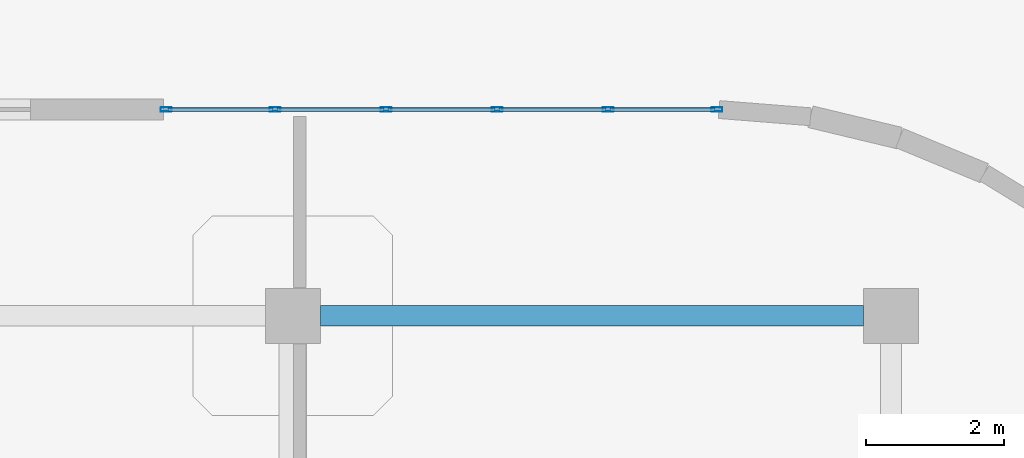
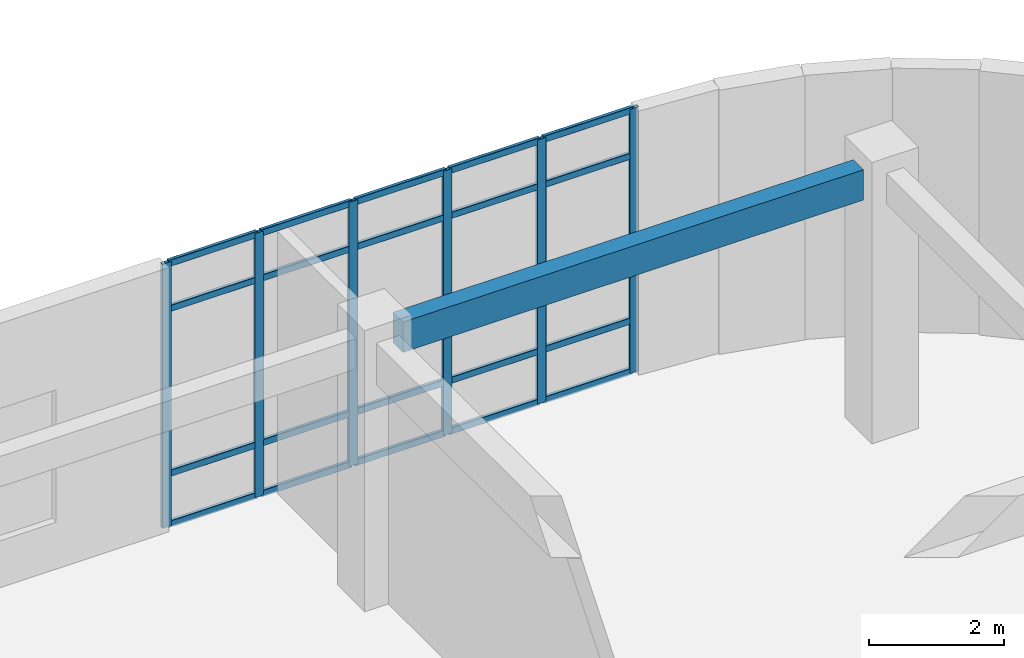
# One storey, part 78 of 124: 26 members, 1 beam, 1 element without a shape of its own.
"""IFC4 building model written with IfcOpenShell, lengths in metres."""

from ifc_helpers import new_model, si_unit, derived_unit, direction, frame, origin, origin_2d, place, context, subcontext, project, spatial, rectangle, hollow_rectangle, extrude, material, layer, layer_set, material_profile, profile_set, type_object, element, aggregate, save


model = new_model("IFC4")

# Units and contexts
model_context = context("Model", 3, precision=1e-05, world=origin(), true_north=direction((0.0, 1.0)))
body_context = subcontext(model_context, "Body", "Model", "MODEL_VIEW")
ifc_project = project(units=[si_unit("LENGTHUNIT", "METRE"), si_unit("AREAUNIT", "SQUARE_METRE"), si_unit("VOLUMEUNIT", "CUBIC_METRE"), si_unit("PLANEANGLEUNIT", "RADIAN"), si_unit("MASSUNIT", "GRAM", prefix="KILO"), derived_unit("THERMALTRANSMITTANCEUNIT", [(si_unit("MASSUNIT", "GRAM", prefix="KILO"), 1), (si_unit("TIMEUNIT", "SECOND"), -3), (si_unit("THERMODYNAMICTEMPERATUREUNIT", "KELVIN"), -1)])], contexts=[model_context])

# Site, building, storey
site_placement = place(None, origin())
site = spatial("IfcSite", under=ifc_project, at=site_placement, CompositionType="ELEMENT")
building_placement = place(site_placement, origin())
building = spatial("IfcBuilding", under=site, at=building_placement, Name="Qinzheling Arcade Emporium", CompositionType="ELEMENT")
storey_placement = place(building_placement, frame((0.0, 0.0, 16.5)))
storey = spatial("IfcBuildingStorey", under=building, at=storey_placement, Name="L04", CompositionType="ELEMENT", Elevation=16.5)

# Curtain wall, members
ifc_material_1 = material(Name="Anodised aluminium and solar-control double glazing", Category="aluminium")
ifc_layer = layer(ifc_material_1, 0.159912109375, Name="Anodised aluminium and solar-control double glazing", Category="aluminium")
ifc_layer_set = layer_set([ifc_layer], Name="Anodised aluminium and solar-control double glazing")
curtain_wall_type = type_object("IfcCurtainWallType", Name="Food Hall Loggia Curtain Wall", PredefinedType="NOTDEFINED", material=ifc_layer_set)
curtain_wall_placement = place(storey_placement, origin())
curtain_wall = element("IfcCurtainWall", 1, at=curtain_wall_placement, inside=storey, type_object=curtain_wall_type, Name="Curtain Wall CW-L04-220", PredefinedType="NOTDEFINED")
ifc_material_2 = material(Name="Anodised aluminium 6063-T6", Category="aluminium")
ifc_material_profile_1 = material_profile(ifc_material_2, hollow_rectangle(XDim=0.06005859375, YDim=0.159912109375, WallThickness=0.00390625, InnerFilletRadius=0.00390625, OuterFilletRadius=0.008056640625, at=origin_2d()), Name="RHS 160x60x4", Category="aluminium")
ifc_profile_set_1 = profile_set([ifc_material_profile_1], Name="Anodised aluminium 6063-T6")
member_type_1 = type_object("IfcMemberType", Name="Curtain Wall Mullion RHS160x60", PredefinedType="MULLION", material=ifc_profile_set_1)
member_1_placement = place(storey_placement, frame((146.056884765625, 28.199951171875, 0.0), z_axis=(0.0, 0.0, 1.0), x_axis=(0.0, 1.0, 0.0)))
member_1 = element("IfcMember", 2, at=member_1_placement, type_object=member_type_1, Name="CW04 mullion 1", PredefinedType="MULLION", context=body_context, shape_type="SweptSolid", body=[
    extrude(hollow_rectangle(XDim=0.06005859375, YDim=0.159912109375, WallThickness=0.00390625, InnerFilletRadius=0.00390625, OuterFilletRadius=0.008056640625, at=origin_2d()), origin(), (0.0, 0.0, 1.0), 4.7900390625),
])
member_2_placement = place(storey_placement, frame((147.6416015625, 28.199951171875, 0.0), z_axis=(0.0, 0.0, 1.0), x_axis=(0.0, 1.0, 0.0)))
member_2 = element("IfcMember", 3, at=member_2_placement, type_object=member_type_1, Name="CW04 mullion 2", PredefinedType="MULLION", context=body_context, shape_type="SweptSolid", body=[
    extrude(hollow_rectangle(XDim=0.06005859375, YDim=0.159912109375, WallThickness=0.00390625, InnerFilletRadius=0.00390625, OuterFilletRadius=0.008056640625, at=origin_2d()), origin(), (0.0, 0.0, 1.0), 4.7900390625),
])
member_3_placement = place(storey_placement, frame((149.256103515625, 28.199951171875, 0.0), z_axis=(0.0, 0.0, 1.0), x_axis=(0.0, 1.0, 0.0)))
member_3 = element("IfcMember", 4, at=member_3_placement, type_object=member_type_1, Name="CW04 mullion 3", PredefinedType="MULLION", context=body_context, shape_type="SweptSolid", body=[
    extrude(hollow_rectangle(XDim=0.06005859375, YDim=0.159912109375, WallThickness=0.00390625, InnerFilletRadius=0.00390625, OuterFilletRadius=0.008056640625, at=origin_2d()), origin(), (0.0, 0.0, 1.0), 4.7900390625),
])
member_4_placement = place(storey_placement, frame((150.870849609375, 28.199951171875, 0.0), z_axis=(0.0, 0.0, 1.0), x_axis=(0.0, 1.0, 0.0)))
member_4 = element("IfcMember", 5, at=member_4_placement, type_object=member_type_1, Name="CW04 mullion 4", PredefinedType="MULLION", context=body_context, shape_type="SweptSolid", body=[
    extrude(hollow_rectangle(XDim=0.06005859375, YDim=0.159912109375, WallThickness=0.00390625, InnerFilletRadius=0.00390625, OuterFilletRadius=0.008056640625, at=origin_2d()), origin(), (0.0, 0.0, 1.0), 4.7900390625),
])
member_5_placement = place(storey_placement, frame((152.4853515625, 28.199951171875, 0.0), z_axis=(0.0, 0.0, 1.0), x_axis=(0.0, 1.0, 0.0)))
member_5 = element("IfcMember", 6, at=member_5_placement, type_object=member_type_1, Name="CW04 mullion 5", PredefinedType="MULLION", context=body_context, shape_type="SweptSolid", body=[
    extrude(hollow_rectangle(XDim=0.06005859375, YDim=0.159912109375, WallThickness=0.00390625, InnerFilletRadius=0.00390625, OuterFilletRadius=0.008056640625, at=origin_2d()), origin(), (0.0, 0.0, 1.0), 4.7900390625),
])
member_6_placement = place(storey_placement, frame((154.070068359375, 28.199951171875, 0.0), z_axis=(0.0, 0.0, 1.0), x_axis=(0.0, 1.0, 0.0)))
member_6 = element("IfcMember", 7, at=member_6_placement, type_object=member_type_1, Name="CW04 mullion 6", PredefinedType="MULLION", context=body_context, shape_type="SweptSolid", body=[
    extrude(hollow_rectangle(XDim=0.06005859375, YDim=0.159912109375, WallThickness=0.00390625, InnerFilletRadius=0.00390625, OuterFilletRadius=0.008056640625, at=origin_2d()), origin(), (0.0, 0.0, 1.0), 4.7900390625),
])
ifc_material_profile_2 = material_profile(ifc_material_2, hollow_rectangle(XDim=0.06005859375, YDim=0.1201171875, WallThickness=0.00390625, InnerFilletRadius=0.00390625, OuterFilletRadius=0.008056640625, at=origin_2d()), Name="RHS 120x60x4", Category="aluminium")
ifc_profile_set_2 = profile_set([ifc_material_profile_2], Name="Anodised aluminium 6063-T6")
member_type_2 = type_object("IfcMemberType", Name="Curtain Wall Transom RHS120x60", PredefinedType="USERDEFINED", material=ifc_profile_set_2)
member_7_placement = place(storey_placement, frame((146.0869140625, 28.199951171875, 0.030029296875), z_axis=(1.0, 0.0, 0.0), x_axis=(0.0, 1.0, 0.0)))
member_7 = element("IfcMember", 8, at=member_7_placement, type_object=member_type_2, Name="CW04 transom 1.1", ObjectType="TRANSOM", PredefinedType="USERDEFINED", context=body_context, shape_type="SweptSolid", body=[
    extrude(hollow_rectangle(XDim=0.06005859375, YDim=0.1201171875, WallThickness=0.00390625, InnerFilletRadius=0.00390625, OuterFilletRadius=0.008056640625, at=origin_2d()), origin(), (0.0, 0.0, 1.0), 1.524658203125),
])
member_8_placement = place(storey_placement, frame((146.0869140625, 28.199951171875, 0.949951171875), z_axis=(1.0, 0.0, 0.0), x_axis=(0.0, 1.0, 0.0)))
member_8 = element("IfcMember", 9, at=member_8_placement, type_object=member_type_2, Name="CW04 transom 1.2", ObjectType="TRANSOM", PredefinedType="USERDEFINED", context=body_context, shape_type="SweptSolid", body=[
    extrude(hollow_rectangle(XDim=0.06005859375, YDim=0.1201171875, WallThickness=0.00390625, InnerFilletRadius=0.00390625, OuterFilletRadius=0.008056640625, at=origin_2d()), origin(), (0.0, 0.0, 1.0), 1.524658203125),
])
member_9_placement = place(storey_placement, frame((146.0869140625, 28.199951171875, 3.93994140625), z_axis=(1.0, 0.0, 0.0), x_axis=(0.0, 1.0, 0.0)))
member_9 = element("IfcMember", 10, at=member_9_placement, type_object=member_type_2, Name="CW04 transom 1.3", ObjectType="TRANSOM", PredefinedType="USERDEFINED", context=body_context, shape_type="SweptSolid", body=[
    extrude(hollow_rectangle(XDim=0.06005859375, YDim=0.1201171875, WallThickness=0.00390625, InnerFilletRadius=0.00390625, OuterFilletRadius=0.008056640625, at=origin_2d()), origin(), (0.0, 0.0, 1.0), 1.524658203125),
])
member_10_placement = place(storey_placement, frame((146.0869140625, 28.199951171875, 4.760009765625), z_axis=(1.0, 0.0, 0.0), x_axis=(0.0, 1.0, 0.0)))
member_10 = element("IfcMember", 11, at=member_10_placement, type_object=member_type_2, Name="CW04 transom 1.4", ObjectType="TRANSOM", PredefinedType="USERDEFINED", context=body_context, shape_type="SweptSolid", body=[
    extrude(hollow_rectangle(XDim=0.06005859375, YDim=0.1201171875, WallThickness=0.00390625, InnerFilletRadius=0.00390625, OuterFilletRadius=0.008056640625, at=origin_2d()), origin(), (0.0, 0.0, 1.0), 1.524658203125),
])
member_11_placement = place(storey_placement, frame((147.671630859375, 28.199951171875, 0.030029296875), z_axis=(1.0, 0.0, 0.0), x_axis=(0.0, 1.0, 0.0)))
member_11 = element("IfcMember", 12, at=member_11_placement, type_object=member_type_2, Name="CW04 transom 2.1", ObjectType="TRANSOM", PredefinedType="USERDEFINED", context=body_context, shape_type="SweptSolid", body=[
    extrude(hollow_rectangle(XDim=0.06005859375, YDim=0.1201171875, WallThickness=0.00390625, InnerFilletRadius=0.00390625, OuterFilletRadius=0.008056640625, at=origin_2d()), origin(), (0.0, 0.0, 1.0), 1.5546875),
])
member_12_placement = place(storey_placement, frame((147.671630859375, 28.199951171875, 0.949951171875), z_axis=(1.0, 0.0, 0.0), x_axis=(0.0, 1.0, 0.0)))
member_12 = element("IfcMember", 13, at=member_12_placement, type_object=member_type_2, Name="CW04 transom 2.2", ObjectType="TRANSOM", PredefinedType="USERDEFINED", context=body_context, shape_type="SweptSolid", body=[
    extrude(hollow_rectangle(XDim=0.06005859375, YDim=0.1201171875, WallThickness=0.00390625, InnerFilletRadius=0.00390625, OuterFilletRadius=0.008056640625, at=origin_2d()), origin(), (0.0, 0.0, 1.0), 1.5546875),
])
member_13_placement = place(storey_placement, frame((147.671630859375, 28.199951171875, 3.93994140625), z_axis=(1.0, 0.0, 0.0), x_axis=(0.0, 1.0, 0.0)))
member_13 = element("IfcMember", 14, at=member_13_placement, type_object=member_type_2, Name="CW04 transom 2.3", ObjectType="TRANSOM", PredefinedType="USERDEFINED", context=body_context, shape_type="SweptSolid", body=[
    extrude(hollow_rectangle(XDim=0.06005859375, YDim=0.1201171875, WallThickness=0.00390625, InnerFilletRadius=0.00390625, OuterFilletRadius=0.008056640625, at=origin_2d()), origin(), (0.0, 0.0, 1.0), 1.5546875),
])
member_14_placement = place(storey_placement, frame((147.671630859375, 28.199951171875, 4.760009765625), z_axis=(1.0, 0.0, 0.0), x_axis=(0.0, 1.0, 0.0)))
member_14 = element("IfcMember", 15, at=member_14_placement, type_object=member_type_2, Name="CW04 transom 2.4", ObjectType="TRANSOM", PredefinedType="USERDEFINED", context=body_context, shape_type="SweptSolid", body=[
    extrude(hollow_rectangle(XDim=0.06005859375, YDim=0.1201171875, WallThickness=0.00390625, InnerFilletRadius=0.00390625, OuterFilletRadius=0.008056640625, at=origin_2d()), origin(), (0.0, 0.0, 1.0), 1.5546875),
])
member_15_placement = place(storey_placement, frame((149.2861328125, 28.199951171875, 0.030029296875), z_axis=(1.0, 0.0, 0.0), x_axis=(0.0, 1.0, 0.0)))
member_15 = element("IfcMember", 16, at=member_15_placement, type_object=member_type_2, Name="CW04 transom 3.1", ObjectType="TRANSOM", PredefinedType="USERDEFINED", context=body_context, shape_type="SweptSolid", body=[
    extrude(hollow_rectangle(XDim=0.06005859375, YDim=0.1201171875, WallThickness=0.00390625, InnerFilletRadius=0.00390625, OuterFilletRadius=0.008056640625, at=origin_2d()), origin(), (0.0, 0.0, 1.0), 1.5546875),
])
member_16_placement = place(storey_placement, frame((149.2861328125, 28.199951171875, 0.949951171875), z_axis=(1.0, 0.0, 0.0), x_axis=(0.0, 1.0, 0.0)))
member_16 = element("IfcMember", 17, at=member_16_placement, type_object=member_type_2, Name="CW04 transom 3.2", ObjectType="TRANSOM", PredefinedType="USERDEFINED", context=body_context, shape_type="SweptSolid", body=[
    extrude(hollow_rectangle(XDim=0.06005859375, YDim=0.1201171875, WallThickness=0.00390625, InnerFilletRadius=0.00390625, OuterFilletRadius=0.008056640625, at=origin_2d()), origin(), (0.0, 0.0, 1.0), 1.5546875),
])
member_17_placement = place(storey_placement, frame((149.2861328125, 28.199951171875, 3.93994140625), z_axis=(1.0, 0.0, 0.0), x_axis=(0.0, 1.0, 0.0)))
member_17 = element("IfcMember", 18, at=member_17_placement, type_object=member_type_2, Name="CW04 transom 3.3", ObjectType="TRANSOM", PredefinedType="USERDEFINED", context=body_context, shape_type="SweptSolid", body=[
    extrude(hollow_rectangle(XDim=0.06005859375, YDim=0.1201171875, WallThickness=0.00390625, InnerFilletRadius=0.00390625, OuterFilletRadius=0.008056640625, at=origin_2d()), origin(), (0.0, 0.0, 1.0), 1.5546875),
])
member_18_placement = place(storey_placement, frame((149.2861328125, 28.199951171875, 4.760009765625), z_axis=(1.0, 0.0, 0.0), x_axis=(0.0, 1.0, 0.0)))
member_18 = element("IfcMember", 19, at=member_18_placement, type_object=member_type_2, Name="CW04 transom 3.4", ObjectType="TRANSOM", PredefinedType="USERDEFINED", context=body_context, shape_type="SweptSolid", body=[
    extrude(hollow_rectangle(XDim=0.06005859375, YDim=0.1201171875, WallThickness=0.00390625, InnerFilletRadius=0.00390625, OuterFilletRadius=0.008056640625, at=origin_2d()), origin(), (0.0, 0.0, 1.0), 1.5546875),
])
member_19_placement = place(storey_placement, frame((150.90087890625, 28.199951171875, 0.030029296875), z_axis=(1.0, 0.0, 0.0), x_axis=(0.0, 1.0, 0.0)))
member_19 = element("IfcMember", 20, at=member_19_placement, type_object=member_type_2, Name="CW04 transom 4.1", ObjectType="TRANSOM", PredefinedType="USERDEFINED", context=body_context, shape_type="SweptSolid", body=[
    extrude(hollow_rectangle(XDim=0.06005859375, YDim=0.1201171875, WallThickness=0.00390625, InnerFilletRadius=0.00390625, OuterFilletRadius=0.008056640625, at=origin_2d()), origin(), (0.0, 0.0, 1.0), 1.554443359375),
])
member_20_placement = place(storey_placement, frame((150.90087890625, 28.199951171875, 0.949951171875), z_axis=(1.0, 0.0, 0.0), x_axis=(0.0, 1.0, 0.0)))
member_20 = element("IfcMember", 21, at=member_20_placement, type_object=member_type_2, Name="CW04 transom 4.2", ObjectType="TRANSOM", PredefinedType="USERDEFINED", context=body_context, shape_type="SweptSolid", body=[
    extrude(hollow_rectangle(XDim=0.06005859375, YDim=0.1201171875, WallThickness=0.00390625, InnerFilletRadius=0.00390625, OuterFilletRadius=0.008056640625, at=origin_2d()), origin(), (0.0, 0.0, 1.0), 1.554443359375),
])
member_21_placement = place(storey_placement, frame((150.90087890625, 28.199951171875, 3.93994140625), z_axis=(1.0, 0.0, 0.0), x_axis=(0.0, 1.0, 0.0)))
member_21 = element("IfcMember", 22, at=member_21_placement, type_object=member_type_2, Name="CW04 transom 4.3", ObjectType="TRANSOM", PredefinedType="USERDEFINED", context=body_context, shape_type="SweptSolid", body=[
    extrude(hollow_rectangle(XDim=0.06005859375, YDim=0.1201171875, WallThickness=0.00390625, InnerFilletRadius=0.00390625, OuterFilletRadius=0.008056640625, at=origin_2d()), origin(), (0.0, 0.0, 1.0), 1.554443359375),
])
member_22_placement = place(storey_placement, frame((150.90087890625, 28.199951171875, 4.760009765625), z_axis=(1.0, 0.0, 0.0), x_axis=(0.0, 1.0, 0.0)))
member_22 = element("IfcMember", 23, at=member_22_placement, type_object=member_type_2, Name="CW04 transom 4.4", ObjectType="TRANSOM", PredefinedType="USERDEFINED", context=body_context, shape_type="SweptSolid", body=[
    extrude(hollow_rectangle(XDim=0.06005859375, YDim=0.1201171875, WallThickness=0.00390625, InnerFilletRadius=0.00390625, OuterFilletRadius=0.008056640625, at=origin_2d()), origin(), (0.0, 0.0, 1.0), 1.554443359375),
])
member_23_placement = place(storey_placement, frame((152.515380859375, 28.199951171875, 0.030029296875), z_axis=(1.0, 0.0, 0.0), x_axis=(0.0, 1.0, 0.0)))
member_23 = element("IfcMember", 24, at=member_23_placement, type_object=member_type_2, Name="CW04 transom 5.1", ObjectType="TRANSOM", PredefinedType="USERDEFINED", context=body_context, shape_type="SweptSolid", body=[
    extrude(hollow_rectangle(XDim=0.06005859375, YDim=0.1201171875, WallThickness=0.00390625, InnerFilletRadius=0.00390625, OuterFilletRadius=0.008056640625, at=origin_2d()), origin(), (0.0, 0.0, 1.0), 1.524658203125),
])
member_24_placement = place(storey_placement, frame((152.515380859375, 28.199951171875, 0.949951171875), z_axis=(1.0, 0.0, 0.0), x_axis=(0.0, 1.0, 0.0)))
member_24 = element("IfcMember", 25, at=member_24_placement, type_object=member_type_2, Name="CW04 transom 5.2", ObjectType="TRANSOM", PredefinedType="USERDEFINED", context=body_context, shape_type="SweptSolid", body=[
    extrude(hollow_rectangle(XDim=0.06005859375, YDim=0.1201171875, WallThickness=0.00390625, InnerFilletRadius=0.00390625, OuterFilletRadius=0.008056640625, at=origin_2d()), origin(), (0.0, 0.0, 1.0), 1.524658203125),
])
member_25_placement = place(storey_placement, frame((152.515380859375, 28.199951171875, 3.93994140625), z_axis=(1.0, 0.0, 0.0), x_axis=(0.0, 1.0, 0.0)))
member_25 = element("IfcMember", 26, at=member_25_placement, type_object=member_type_2, Name="CW04 transom 5.3", ObjectType="TRANSOM", PredefinedType="USERDEFINED", context=body_context, shape_type="SweptSolid", body=[
    extrude(hollow_rectangle(XDim=0.06005859375, YDim=0.1201171875, WallThickness=0.00390625, InnerFilletRadius=0.00390625, OuterFilletRadius=0.008056640625, at=origin_2d()), origin(), (0.0, 0.0, 1.0), 1.524658203125),
])
member_26_placement = place(storey_placement, frame((152.515380859375, 28.199951171875, 4.760009765625), z_axis=(1.0, 0.0, 0.0), x_axis=(0.0, 1.0, 0.0)))
member_26 = element("IfcMember", 27, at=member_26_placement, type_object=member_type_2, Name="CW04 transom 5.4", ObjectType="TRANSOM", PredefinedType="USERDEFINED", context=body_context, shape_type="SweptSolid", body=[
    extrude(hollow_rectangle(XDim=0.06005859375, YDim=0.1201171875, WallThickness=0.00390625, InnerFilletRadius=0.00390625, OuterFilletRadius=0.008056640625, at=origin_2d()), origin(), (0.0, 0.0, 1.0), 1.524658203125),
])
aggregate(curtain_wall, [member_1, member_2, member_3, member_4, member_5, member_6, member_7, member_8, member_9, member_10, member_11, member_12, member_13, member_14, member_15, member_16, member_17, member_18, member_19, member_20, member_21, member_22, member_23, member_24, member_25, member_26])

# Beam
ifc_material_3 = material(Name="Concrete C40", Category="concrete")
ifc_material_profile_3 = material_profile(ifc_material_3, rectangle(XDim=0.300048828125, YDim=0.550048828125, at=origin_2d()), Name="RC 300x550", Category="concrete")
ifc_profile_set_3 = profile_set([ifc_material_profile_3], Name="Concrete C40")
beam_type = type_object("IfcBeamType", Name="RC Terrace Spandrel Beam 300x550 C40", PredefinedType="SPANDREL", material=ifc_profile_set_3)
beam_placement = place(storey_placement, frame((148.300048828125, 25.199951171875, 4.544921875), z_axis=(1.0, 0.0, 0.0), x_axis=(0.0, 1.0, 0.0)))
element("IfcBeam", 28, at=beam_placement, inside=storey, type_object=beam_type, Name="Beam BM-L04-X-D-18", PredefinedType="SPANDREL", context=body_context, shape_type="SweptSolid", body=[
    extrude(rectangle(XDim=0.300048828125, YDim=0.550048828125, at=origin_2d()), origin(), (0.0, 0.0, 1.0), 7.89990234375),
])

save(model, "model.ifc")
